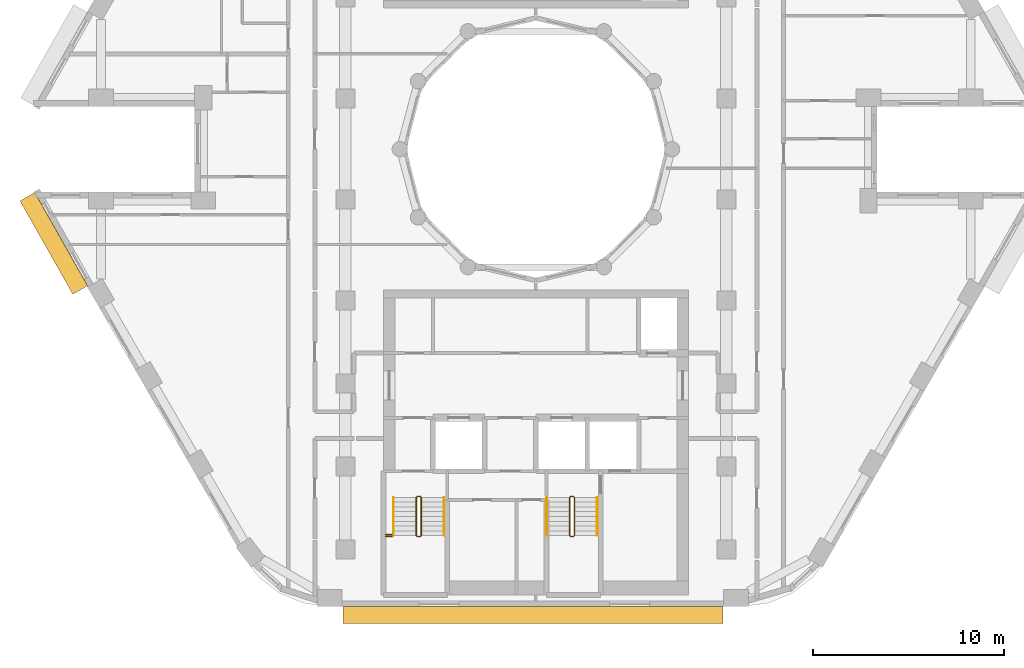
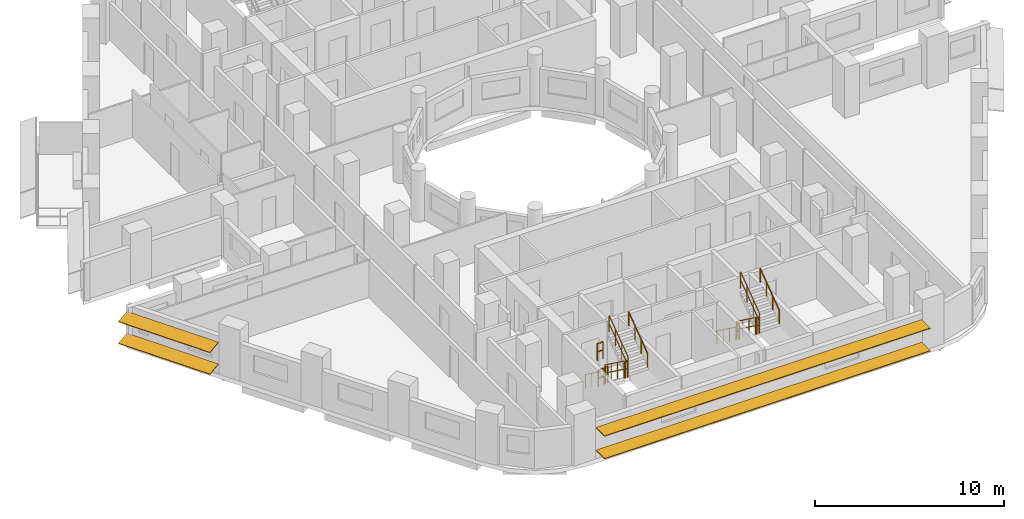
# One storey, part 11 of 13: 14 railings, 4 shading devices.
"""IFC4 building model written with IfcOpenShell, lengths in metres."""

from ifc_helpers import new_model, si_unit, direction, frame, origin, origin_2d, place, context, subcontext, project, spatial, rectangle, circle, extrude, material, material_profile, profile_set, type_object, element, save


model = new_model("IFC4")

# Units and contexts
model_context = context("Model", 3, precision=1e-05, world=origin(), true_north=direction((0.0, 1.0)))
body_context = subcontext(model_context, "Body", "Model", "MODEL_VIEW")
ifc_project = project(units=[si_unit("LENGTHUNIT", "METRE"), si_unit("AREAUNIT", "SQUARE_METRE"), si_unit("VOLUMEUNIT", "CUBIC_METRE"), si_unit("PLANEANGLEUNIT", "RADIAN"), si_unit("MASSUNIT", "GRAM", prefix="KILO")], contexts=[model_context])

# Site, building, storey
site_placement = place(None, origin())
site = spatial("IfcSite", under=ifc_project, at=site_placement, CompositionType="ELEMENT")
building_placement = place(site_placement, origin())
building = spatial("IfcBuilding", under=site, at=building_placement, Name="Nakaniwa Court", CompositionType="ELEMENT")
storey_placement = place(building_placement, frame((0.0, 0.0, 153.60009765625)))
storey = spatial("IfcBuildingStorey", under=building, at=storey_placement, Name="L40", CompositionType="ELEMENT", Elevation=153.60009765625)

# Shading devices
ifc_material_1 = material(Name="Perforated charcoal ceramic louvre blade")
ifc_material_profile = material_profile(ifc_material_1, rectangle(XDim=0.89990234375, YDim=0.050048828125, at=origin_2d()), Name="Perforated ceramic louvre blade")
ifc_profile_set = profile_set([ifc_material_profile], Name="Perforated charcoal ceramic louvre blade")
shading_device_type = type_object("IfcShadingDeviceType", Name="Perforated ceramic louvre blade", PredefinedType="JALOUSIE", material=ifc_profile_set)
for number, where, z_axis, x_axis, name in (
    (1, (53.31689453125, 77.5078125, 0.5498046875), (0.49253187421, -0.870294405869, 0.0), (0.862649339692, 0.488205247786, 0.132256390257), "L40 perforated ceramic louvre blade w20 1"),
    (2, (53.31689453125, 77.5078125, 1.95556640625), (0.49253187421, -0.870294405869, 0.0), (0.862649339692, 0.488205247786, 0.132256390257), "L40 perforated ceramic louvre blade w20 2"),
):
    element("IfcShadingDevice", number, at=place(storey_placement, frame(where, z_axis=z_axis, x_axis=x_axis)), inside=storey, type_object=shading_device_type, Name=name, PredefinedType="JALOUSIE", context=body_context, shape_type="SweptSolid", body=[
        extrude(rectangle(XDim=0.89990234375, YDim=0.050048828125, at=origin_2d()), origin(), (0.0, 0.0, 1.0), 5.62646484375),
    ])
for number, where, z_axis, x_axis, name in (
    (3, (69.871337890625, 55.550048828125, 0.5498046875), (1.0, 0.0, 0.0), (0.0, 1.0, 0.0), "L40 perforated ceramic louvre blade w26 1"),
    (4, (69.871337890625, 55.550048828125, 2.014892578125), (1.0, 0.0, 0.0), (0.0, 1.0, 0.0), "L40 perforated ceramic louvre blade w26 2"),
):
    element("IfcShadingDevice", number, at=place(storey_placement, frame(where, z_axis=z_axis, x_axis=x_axis)), inside=storey, type_object=shading_device_type, Name=name, PredefinedType="JALOUSIE", context=body_context, shape_type="SweptSolid", body=[
        extrude(rectangle(XDim=0.89990234375, YDim=0.050048828125, at=origin_2d()), origin(), (0.0, 0.0, 1.0), 19.939697265625),
    ])

# Railings
ifc_material_2 = material(Name="Black powder coated steel guard", Category="steel")
railing_type_1 = type_object("IfcRailingType", Name="Stair guard 1100", PredefinedType="GUARDRAIL", material=ifc_material_2)
railing_1_placement = place(storey_placement, frame((73.72509765625, 61.72509765625, 0.183349609375)))
element("IfcRailing", 5, at=railing_1_placement, inside=storey, type_object=railing_type_1, Name="L40 ST3 stair guard 1", PredefinedType="GUARDRAIL", context=body_context, shape_type="SweptSolid", body=[
    extrude(circle(Radius=0.02392578125, at=origin_2d()), frame((0.0, 0.0, 1.076171875), z_axis=(0.0, -0.806426902644, 0.591333789573), x_axis=(1.0, 0.0, 0.0)), (0.0, 0.0, 1.0), 2.47998046875),
    extrude(circle(Radius=0.02392578125, at=origin_2d()), frame((0.0, 0.0, 0.550048828125), z_axis=(0.0, -0.806426902644, 0.591333789573), x_axis=(1.0, 0.0, 0.0)), (0.0, 0.0, 1.0), 2.47998046875),
    extrude(circle(Radius=0.02099609375, at=origin_2d()), origin(), (0.0, 0.0, 1.0), 1.052001953125),
    extrude(circle(Radius=0.02099609375, at=origin_2d()), frame((0.0, -0.666748046875, 0.48876953125)), (0.0, 0.0, 1.0), 1.052001953125),
    extrude(circle(Radius=0.02099609375, at=origin_2d()), frame((0.0, -1.333251953125, 0.977783203125)), (0.0, 0.0, 1.0), 1.052001953125),
    extrude(circle(Radius=0.02099609375, at=origin_2d()), frame((0.0, -2.0, 1.466552734375)), (0.0, 0.0, 1.0), 1.052001953125),
])
railing_2_placement = place(storey_placement, frame((73.77490234375, 59.675048828125, 1.64990234375)))
element("IfcRailing", 6, at=railing_2_placement, inside=storey, type_object=railing_type_1, Name="L40 ST3 stair guard 2", PredefinedType="GUARDRAIL", context=body_context, shape_type="SweptSolid", body=[
    extrude(circle(Radius=0.02392578125, at=origin_2d()), frame((0.0, 0.0, 1.076171875), z_axis=(1.0, 0.0, 0.0), x_axis=(0.0, 1.0, 0.0)), (0.0, 0.0, 1.0), 0.150146484375),
    extrude(circle(Radius=0.02392578125, at=origin_2d()), frame((0.0, 0.0, 0.550048828125), z_axis=(1.0, 0.0, 0.0), x_axis=(0.0, 1.0, 0.0)), (0.0, 0.0, 1.0), 0.150146484375),
    extrude(circle(Radius=0.02099609375, at=origin_2d()), origin(), (0.0, 0.0, 1.0), 1.052001953125),
    extrude(circle(Radius=0.02099609375, at=origin_2d()), frame((0.150146484375, 0.0, 0.0)), (0.0, 0.0, 1.0), 1.052001953125),
])
railing_3_placement = place(storey_placement, frame((73.97509765625, 59.72509765625, 1.833251953125)))
element("IfcRailing", 7, at=railing_3_placement, inside=storey, type_object=railing_type_1, Name="L40 ST3 stair guard 3", PredefinedType="GUARDRAIL", context=body_context, shape_type="SweptSolid", body=[
    extrude(circle(Radius=0.02392578125, at=origin_2d()), frame((0.0, 0.0, 1.076171875), z_axis=(0.0, 0.806426902644, 0.591333789573), x_axis=(-1.0, 0.0, 0.0)), (0.0, 0.0, 1.0), 2.47998046875),
    extrude(circle(Radius=0.02392578125, at=origin_2d()), frame((0.0, 0.0, 0.550048828125), z_axis=(0.0, 0.806426902644, 0.591333789573), x_axis=(-1.0, 0.0, 0.0)), (0.0, 0.0, 1.0), 2.47998046875),
    extrude(circle(Radius=0.02099609375, at=origin_2d()), origin(), (0.0, 0.0, 1.0), 1.052001953125),
    extrude(circle(Radius=0.02099609375, at=origin_2d()), frame((0.0, 0.666748046875, 0.48876953125)), (0.0, 0.0, 1.0), 1.052001953125),
    extrude(circle(Radius=0.02099609375, at=origin_2d()), frame((0.0, 1.333251953125, 0.977783203125)), (0.0, 0.0, 1.0), 1.052001953125),
    extrude(circle(Radius=0.02099609375, at=origin_2d()), frame((0.0, 2.0, 1.466552734375)), (0.0, 0.0, 1.0), 1.052001953125),
])
railing_4_placement = place(storey_placement, frame((73.77490234375, 61.77490234375, 0.0)))
element("IfcRailing", 8, at=railing_4_placement, inside=storey, type_object=railing_type_1, Name="L40 ST3 stair guard 4", PredefinedType="GUARDRAIL", context=body_context, shape_type="SweptSolid", body=[
    extrude(circle(Radius=0.02392578125, at=origin_2d()), frame((0.0, 0.0, 1.076171875), z_axis=(1.0, 0.0, 0.0), x_axis=(0.0, 1.0, 0.0)), (0.0, 0.0, 1.0), 0.150146484375),
    extrude(circle(Radius=0.02392578125, at=origin_2d()), frame((0.0, 0.0, 0.550048828125), z_axis=(1.0, 0.0, 0.0), x_axis=(0.0, 1.0, 0.0)), (0.0, 0.0, 1.0), 0.150146484375),
    extrude(circle(Radius=0.02099609375, at=origin_2d()), origin(), (0.0, 0.0, 1.0), 1.052001953125),
    extrude(circle(Radius=0.02099609375, at=origin_2d()), frame((0.150146484375, 0.0, 0.0)), (0.0, 0.0, 1.0), 1.052001953125),
])
for number, where, name in (
    (9, (72.125, 59.675048828125, 1.64990234375), "L40 ST3 landing side guard 1W"),
    (10, (72.125, 59.77490234375, 3.2998046875), "L40 ST3 floor edge guard 1W"),
):
    element("IfcRailing", number, at=place(storey_placement, frame(where)), inside=storey, type_object=railing_type_1, Name=name, PredefinedType="GUARDRAIL", context=body_context, shape_type="SweptSolid", body=[
        extrude(circle(Radius=0.02392578125, at=origin_2d()), frame((0.0, 0.0, 1.076171875), z_axis=(1.0, 0.0, 0.0), x_axis=(0.0, 1.0, 0.0)), (0.0, 0.0, 1.0), 0.35009765625),
        extrude(circle(Radius=0.02392578125, at=origin_2d()), frame((0.0, 0.0, 0.550048828125), z_axis=(1.0, 0.0, 0.0), x_axis=(0.0, 1.0, 0.0)), (0.0, 0.0, 1.0), 0.35009765625),
        extrude(circle(Radius=0.02099609375, at=origin_2d()), origin(), (0.0, 0.0, 1.0), 1.052001953125),
        extrude(circle(Radius=0.02099609375, at=origin_2d()), frame((0.35009765625, 0.0, 0.0)), (0.0, 0.0, 1.0), 1.052001953125),
    ])
railing_5_placement = place(storey_placement, frame((81.77490234375, 61.72509765625, 0.183349609375)))
element("IfcRailing", 11, at=railing_5_placement, inside=storey, type_object=railing_type_1, Name="L40 ST4 stair guard 1", PredefinedType="GUARDRAIL", context=body_context, shape_type="SweptSolid", body=[
    extrude(circle(Radius=0.02392578125, at=origin_2d()), frame((0.0, 0.0, 1.076171875), z_axis=(0.0, -0.806426902644, 0.591333789573), x_axis=(1.0, 0.0, 0.0)), (0.0, 0.0, 1.0), 2.47998046875),
    extrude(circle(Radius=0.02392578125, at=origin_2d()), frame((0.0, 0.0, 0.550048828125), z_axis=(0.0, -0.806426902644, 0.591333789573), x_axis=(1.0, 0.0, 0.0)), (0.0, 0.0, 1.0), 2.47998046875),
    extrude(circle(Radius=0.02099609375, at=origin_2d()), origin(), (0.0, 0.0, 1.0), 1.052001953125),
    extrude(circle(Radius=0.02099609375, at=origin_2d()), frame((0.0, -0.666748046875, 0.48876953125)), (0.0, 0.0, 1.0), 1.052001953125),
    extrude(circle(Radius=0.02099609375, at=origin_2d()), frame((0.0, -1.333251953125, 0.977783203125)), (0.0, 0.0, 1.0), 1.052001953125),
    extrude(circle(Radius=0.02099609375, at=origin_2d()), frame((0.0, -2.0, 1.466552734375)), (0.0, 0.0, 1.0), 1.052001953125),
])
railing_6_placement = place(storey_placement, frame((81.824951171875, 59.675048828125, 1.64990234375)))
element("IfcRailing", 12, at=railing_6_placement, inside=storey, type_object=railing_type_1, Name="L40 ST4 stair guard 2", PredefinedType="GUARDRAIL", context=body_context, shape_type="SweptSolid", body=[
    extrude(circle(Radius=0.02392578125, at=origin_2d()), frame((0.0, 0.0, 1.076171875), z_axis=(1.0, 0.0, 0.0), x_axis=(0.0, 1.0, 0.0)), (0.0, 0.0, 1.0), 0.150146484375),
    extrude(circle(Radius=0.02392578125, at=origin_2d()), frame((0.0, 0.0, 0.550048828125), z_axis=(1.0, 0.0, 0.0), x_axis=(0.0, 1.0, 0.0)), (0.0, 0.0, 1.0), 0.150146484375),
    extrude(circle(Radius=0.02099609375, at=origin_2d()), origin(), (0.0, 0.0, 1.0), 1.052001953125),
    extrude(circle(Radius=0.02099609375, at=origin_2d()), frame((0.150146484375, 0.0, 0.0)), (0.0, 0.0, 1.0), 1.052001953125),
])
railing_7_placement = place(storey_placement, frame((82.02490234375, 59.72509765625, 1.833251953125)))
element("IfcRailing", 13, at=railing_7_placement, inside=storey, type_object=railing_type_1, Name="L40 ST4 stair guard 3", PredefinedType="GUARDRAIL", context=body_context, shape_type="SweptSolid", body=[
    extrude(circle(Radius=0.02392578125, at=origin_2d()), frame((0.0, 0.0, 1.076171875), z_axis=(0.0, 0.806426902644, 0.591333789573), x_axis=(-1.0, 0.0, 0.0)), (0.0, 0.0, 1.0), 2.47998046875),
    extrude(circle(Radius=0.02392578125, at=origin_2d()), frame((0.0, 0.0, 0.550048828125), z_axis=(0.0, 0.806426902644, 0.591333789573), x_axis=(-1.0, 0.0, 0.0)), (0.0, 0.0, 1.0), 2.47998046875),
    extrude(circle(Radius=0.02099609375, at=origin_2d()), origin(), (0.0, 0.0, 1.0), 1.052001953125),
    extrude(circle(Radius=0.02099609375, at=origin_2d()), frame((0.0, 0.666748046875, 0.48876953125)), (0.0, 0.0, 1.0), 1.052001953125),
    extrude(circle(Radius=0.02099609375, at=origin_2d()), frame((0.0, 1.333251953125, 0.977783203125)), (0.0, 0.0, 1.0), 1.052001953125),
    extrude(circle(Radius=0.02099609375, at=origin_2d()), frame((0.0, 2.0, 1.466552734375)), (0.0, 0.0, 1.0), 1.052001953125),
])
railing_8_placement = place(storey_placement, frame((81.824951171875, 61.77490234375, 0.0)))
element("IfcRailing", 14, at=railing_8_placement, inside=storey, type_object=railing_type_1, Name="L40 ST4 stair guard 4", PredefinedType="GUARDRAIL", context=body_context, shape_type="SweptSolid", body=[
    extrude(circle(Radius=0.02392578125, at=origin_2d()), frame((0.0, 0.0, 1.076171875), z_axis=(1.0, 0.0, 0.0), x_axis=(0.0, 1.0, 0.0)), (0.0, 0.0, 1.0), 0.150146484375),
    extrude(circle(Radius=0.02392578125, at=origin_2d()), frame((0.0, 0.0, 0.550048828125), z_axis=(1.0, 0.0, 0.0), x_axis=(0.0, 1.0, 0.0)), (0.0, 0.0, 1.0), 0.150146484375),
    extrude(circle(Radius=0.02099609375, at=origin_2d()), origin(), (0.0, 0.0, 1.0), 1.052001953125),
    extrude(circle(Radius=0.02099609375, at=origin_2d()), frame((0.150146484375, 0.0, 0.0)), (0.0, 0.0, 1.0), 1.052001953125),
])
ifc_material_3 = material(Name="Black powder coated steel handrail", Category="steel")
railing_type_2 = type_object("IfcRailingType", Name="Stair handrail 900", PredefinedType="HANDRAIL", material=ifc_material_3)
railing_9_placement = place(storey_placement, frame((72.52490234375, 61.72509765625, 0.183349609375)))
element("IfcRailing", 15, at=railing_9_placement, inside=storey, type_object=railing_type_2, Name="L40 ST3 stair handrail 1", PredefinedType="HANDRAIL", context=body_context, shape_type="SweptSolid", body=[
    extrude(circle(Radius=0.02392578125, at=origin_2d()), frame((0.0, 0.0, 0.8759765625), z_axis=(0.0, -0.806426902644, 0.591333789573), x_axis=(1.0, 0.0, 0.0)), (0.0, 0.0, 1.0), 2.47998046875),
    extrude(circle(Radius=0.02099609375, at=origin_2d()), origin(), (0.0, 0.0, 1.0), 0.851806640625),
    extrude(circle(Radius=0.02099609375, at=origin_2d()), frame((0.0, -0.666748046875, 0.48876953125)), (0.0, 0.0, 1.0), 0.851806640625),
    extrude(circle(Radius=0.02099609375, at=origin_2d()), frame((0.0, -1.333251953125, 0.977783203125)), (0.0, 0.0, 1.0), 0.851806640625),
    extrude(circle(Radius=0.02099609375, at=origin_2d()), frame((0.0, -2.0, 1.466552734375)), (0.0, 0.0, 1.0), 0.851806640625),
])
railing_10_placement = place(storey_placement, frame((75.175048828125, 59.72509765625, 1.833251953125)))
element("IfcRailing", 16, at=railing_10_placement, inside=storey, type_object=railing_type_2, Name="L40 ST3 stair handrail 2", PredefinedType="HANDRAIL", context=body_context, shape_type="SweptSolid", body=[
    extrude(circle(Radius=0.02392578125, at=origin_2d()), frame((0.0, 0.0, 0.8759765625), z_axis=(0.0, 0.806426902644, 0.591333789573), x_axis=(-1.0, 0.0, 0.0)), (0.0, 0.0, 1.0), 2.47998046875),
    extrude(circle(Radius=0.02099609375, at=origin_2d()), origin(), (0.0, 0.0, 1.0), 0.851806640625),
    extrude(circle(Radius=0.02099609375, at=origin_2d()), frame((0.0, 0.666748046875, 0.48876953125)), (0.0, 0.0, 1.0), 0.851806640625),
    extrude(circle(Radius=0.02099609375, at=origin_2d()), frame((0.0, 1.333251953125, 0.977783203125)), (0.0, 0.0, 1.0), 0.851806640625),
    extrude(circle(Radius=0.02099609375, at=origin_2d()), frame((0.0, 2.0, 1.466552734375)), (0.0, 0.0, 1.0), 0.851806640625),
])
railing_11_placement = place(storey_placement, frame((80.574951171875, 61.72509765625, 0.183349609375)))
element("IfcRailing", 17, at=railing_11_placement, inside=storey, type_object=railing_type_2, Name="L40 ST4 stair handrail 1", PredefinedType="HANDRAIL", context=body_context, shape_type="SweptSolid", body=[
    extrude(circle(Radius=0.02392578125, at=origin_2d()), frame((0.0, 0.0, 0.8759765625), z_axis=(0.0, -0.806426902644, 0.591333789573), x_axis=(1.0, 0.0, 0.0)), (0.0, 0.0, 1.0), 2.47998046875),
    extrude(circle(Radius=0.02099609375, at=origin_2d()), origin(), (0.0, 0.0, 1.0), 0.851806640625),
    extrude(circle(Radius=0.02099609375, at=origin_2d()), frame((0.0, -0.666748046875, 0.48876953125)), (0.0, 0.0, 1.0), 0.851806640625),
    extrude(circle(Radius=0.02099609375, at=origin_2d()), frame((0.0, -1.333251953125, 0.977783203125)), (0.0, 0.0, 1.0), 0.851806640625),
    extrude(circle(Radius=0.02099609375, at=origin_2d()), frame((0.0, -2.0, 1.466552734375)), (0.0, 0.0, 1.0), 0.851806640625),
])
railing_12_placement = place(storey_placement, frame((83.22509765625, 59.72509765625, 1.833251953125)))
element("IfcRailing", 18, at=railing_12_placement, inside=storey, type_object=railing_type_2, Name="L40 ST4 stair handrail 2", PredefinedType="HANDRAIL", context=body_context, shape_type="SweptSolid", body=[
    extrude(circle(Radius=0.02392578125, at=origin_2d()), frame((0.0, 0.0, 0.8759765625), z_axis=(0.0, 0.806426902644, 0.591333789573), x_axis=(-1.0, 0.0, 0.0)), (0.0, 0.0, 1.0), 2.47998046875),
    extrude(circle(Radius=0.02099609375, at=origin_2d()), origin(), (0.0, 0.0, 1.0), 0.851806640625),
    extrude(circle(Radius=0.02099609375, at=origin_2d()), frame((0.0, 0.666748046875, 0.48876953125)), (0.0, 0.0, 1.0), 0.851806640625),
    extrude(circle(Radius=0.02099609375, at=origin_2d()), frame((0.0, 1.333251953125, 0.977783203125)), (0.0, 0.0, 1.0), 0.851806640625),
    extrude(circle(Radius=0.02099609375, at=origin_2d()), frame((0.0, 2.0, 1.466552734375)), (0.0, 0.0, 1.0), 0.851806640625),
])

save(model, "model.ifc")
